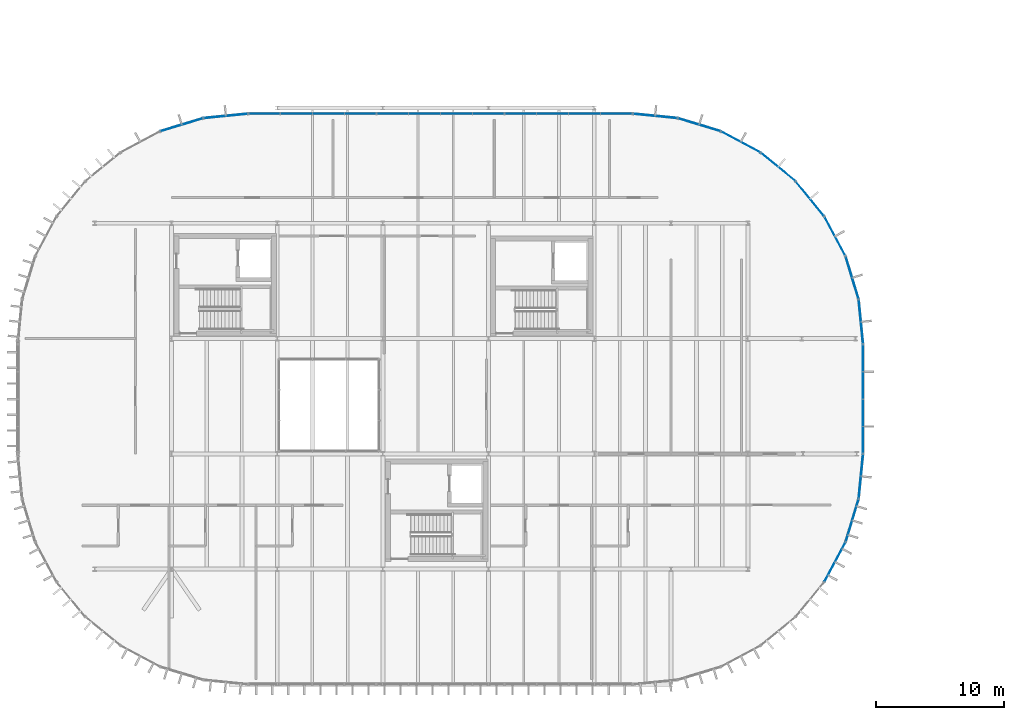
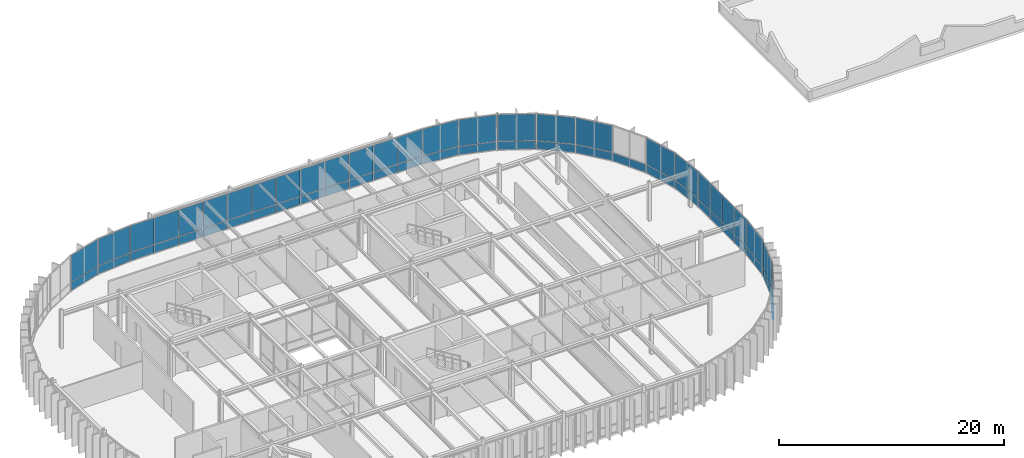
# One storey, part 18 of 27: 57 plates, 17 elements without a shape of their own.
"""IFC4 building model written with IfcOpenShell, lengths in metres."""

import ifcopenshell
import ifcopenshell.guid

model = None  # the IFC model being written
_history = None  # IfcOwnerHistory: only IFC2X3 demands one
_inside = {}  # id of a spatial element -> (the spatial element, [elements in it])
_under = {}  # id of a project, library or spatial element -> (it, [spatial elements below it])
_declared = {}  # id of a project -> (the project, [libraries it declares])
_typed = {}  # id of a type object -> (the type object, [elements of that type])
_made_of = {}  # id of a material, layer set ... -> (it, [elements and type objects made of it])


def new_model(schema):
    """Start an empty IFC model of exactly this schema.

    Asked for "IFC4X3", IfcOpenShell would pick the latest addendum, in which some entities
    have other attributes; the version numbers below select the first issue.
    IFC2X3 requires an IfcOwnerHistory on every rooted entity: one is made here for all.
    """
    global model, _history
    if schema == "IFC4X3":
        model = ifcopenshell.file(schema_version=(4, 3, 0, 0))
    else:
        model = ifcopenshell.file(schema=schema)
    _inside.clear()
    _under.clear()
    _declared.clear()
    _typed.clear()
    _made_of.clear()
    _history = None
    if model.schema == "IFC2X3":
        org = make("IfcOrganization", Name="unknown")
        user = make(
            "IfcPersonAndOrganization",
            ThePerson=make("IfcPerson", FamilyName="unknown"),
            TheOrganization=org,
        )
        app = make(
            "IfcApplication",
            ApplicationDeveloper=org,
            Version="unknown",
            ApplicationFullName="unknown",
            ApplicationIdentifier="unknown",
        )
        _history = make(
            "IfcOwnerHistory",
            OwningUser=user,
            OwningApplication=app,
            ChangeAction="ADDED",
            CreationDate=0,
        )
    return model


def make(cls, **values):
    """One entity of the class cls with the attributes given. An attribute that is None is left unset."""
    return model.create_entity(
        cls, **{name: value for name, value in values.items() if value is not None}
    )


def rooted(cls, **values):
    """An entity with a GlobalId (a new one), such as an element, a storey or a relation."""
    return make(cls, GlobalId=ifcopenshell.guid.new(), OwnerHistory=_history, **values)


def si_unit(unit_type, name, prefix=None):
    """IfcSIUnit, for example si_unit("LENGTHUNIT", "METRE", prefix="MILLI")."""
    return make("IfcSIUnit", UnitType=unit_type, Prefix=prefix, Name=name)


def assignment(units):
    """IfcUnitAssignment: the units of a project."""
    return None if units is None else make("IfcUnitAssignment", Units=units)


def point(xyz):
    """IfcCartesianPoint."""
    return None if xyz is None else make("IfcCartesianPoint", Coordinates=xyz)


def direction(xyz):
    """IfcDirection."""
    return None if xyz is None else make("IfcDirection", DirectionRatios=xyz)


def frame(location, z_axis=None, x_axis=None):
    """IfcAxis2Placement3D, a coordinate frame: its origin and axes. An axis left out is left unset."""
    return make(
        "IfcAxis2Placement3D",
        Location=point(location),
        Axis=direction(z_axis),
        RefDirection=direction(x_axis),
    )


def frame_2d(location, x_axis=None):
    """IfcAxis2Placement2D, a coordinate frame in the plane: its origin and x axis."""
    return make(
        "IfcAxis2Placement2D", Location=point(location), RefDirection=direction(x_axis)
    )


def origin():
    """The frame at (0, 0, 0) with its axes left unset."""
    return frame((0.0, 0.0, 0.0))


def origin_2d():
    """The frame at (0, 0) in the plane with its x axis left unset."""
    return frame_2d((0.0, 0.0))


def place(relative_to, where):
    """IfcLocalPlacement: puts the frame where relative to a parent placement (None: the world)."""
    return make(
        "IfcLocalPlacement", PlacementRelTo=relative_to, RelativePlacement=where
    )


def context(
    kind, dimensions, precision=None, world=None, true_north=None, identifier=None
):
    """IfcGeometricRepresentationContext, for example the 3D "Model" context."""
    return make(
        "IfcGeometricRepresentationContext",
        ContextIdentifier=identifier,
        ContextType=kind,
        CoordinateSpaceDimension=dimensions,
        Precision=precision,
        WorldCoordinateSystem=world,
        TrueNorth=true_north,
    )


def subcontext(parent, identifier, kind, view, scale=None):
    """IfcGeometricRepresentationSubContext, for example "Body" below "Model"."""
    return make(
        "IfcGeometricRepresentationSubContext",
        ContextIdentifier=identifier,
        ContextType=kind,
        ParentContext=parent,
        TargetScale=scale,
        TargetView=view,
    )


def project(units=None, contexts=None):
    """IfcProject with its units and contexts."""
    return rooted(
        "IfcProject",
        Name="project",
        RepresentationContexts=contexts,
        UnitsInContext=assignment(units),
    )


def spatial(cls, under=None, at=None, **own):
    """A site, building, storey or space (cls), placed at a placement, below another one or the project."""
    s = rooted(cls, ObjectPlacement=at, **own)
    if under is not None:
        _under.setdefault(under.id(), (under, []))[1].append(s)
    return s


def profile(cls, at=None, kind="AREA", **sizes):
    """A parametric profile (cls). Its sizes go by their IFC names, for example OverallWidth=200.0."""
    return make(cls, ProfileType=kind, Position=at, **sizes)


def rectangle(**sizes):
    """IfcRectangleProfileDef."""
    return profile("IfcRectangleProfileDef", **sizes)


def extrude(swept, where, along, depth):
    """IfcExtrudedAreaSolid: the profile swept, set in the frame where, extruded along a direction by depth."""
    return make(
        "IfcExtrudedAreaSolid",
        SweptArea=swept,
        Position=where,
        ExtrudedDirection=direction(along),
        Depth=depth,
    )


def shape(context_of_items, identifier, shape_type, items):
    """IfcShapeRepresentation: the items that make up one representation, for example the "Body"."""
    return make(
        "IfcShapeRepresentation",
        ContextOfItems=context_of_items,
        RepresentationIdentifier=identifier,
        RepresentationType=shape_type,
        Items=items,
    )


def material(Name=None, Category=None):
    """IfcMaterial."""
    return make("IfcMaterial", Name=Name, Category=Category)


def layer(
    of_material, thickness, ventilated=None, Name=None, Category=None, Priority=None
):
    """IfcMaterialLayer: one layer of a wall or slab, of a material (None: an air gap)."""
    return make(
        "IfcMaterialLayer",
        Material=of_material,
        LayerThickness=thickness,
        IsVentilated=ventilated,
        Name=Name,
        Category=Category,
        Priority=Priority,
    )


def layer_set(layers, Name=None):
    """IfcMaterialLayerSet."""
    return make("IfcMaterialLayerSet", MaterialLayers=layers, LayerSetName=Name)


def made_of(thing, what):
    """Note that an element or type object is made of a material, layer set ...; save() writes the relation."""
    if what is not None:
        _made_of.setdefault(what.id(), (what, []))[1].append(thing)
    return thing


def type_object(cls, material=None, **own):
    """A type object (cls), such as IfcWallType, which elements share."""
    return made_of(rooted(cls, **own), material)


def element(
    cls,
    number,
    at=None,
    inside=None,
    cuts=None,
    type_object=None,
    material=None,
    context=None,
    identifier="Body",
    shape_type=None,
    held_by="IfcProductDefinitionShape",
    body=None,
    shapes=None,
    **own,
):
    """One element of the class cls, such as IfcWall. Its Tag is "e" and its number.

    at: its placement. inside: the storey or other place that contains it. cuts: it is an
    opening in that element (IfcRelVoidsElement). A single representation is given by context,
    identifier, shape_type and body (its items); several are given by shapes. held_by: the class
    of the entity that holds the representations. save() writes the other relations.
    """
    e = rooted(cls, Tag="e%d" % number, ObjectPlacement=at, **own)
    if body is not None:
        shapes = [shape(context, identifier, shape_type, body)]
    if shapes is not None:
        e.Representation = make(held_by, Representations=shapes)
    if inside is not None:
        _inside.setdefault(inside.id(), (inside, []))[1].append(e)
    if cuts is not None:
        rooted(
            "IfcRelVoidsElement", RelatingBuildingElement=cuts, RelatedOpeningElement=e
        )
    if type_object is not None:
        _typed.setdefault(type_object.id(), (type_object, []))[1].append(e)
    return made_of(e, material)


def aggregate(whole, parts):
    """IfcRelAggregates: a whole, such as a stair, and the parts it consists of."""
    return rooted("IfcRelAggregates", RelatingObject=whole, RelatedObjects=parts)


def save(model, path):
    """Write the relations noted so far, then the file.

    IfcRelAggregates (storeys below a building ...), IfcRelContainedInSpatialStructure (elements
    in a storey), IfcRelDefinesByType, IfcRelAssociatesMaterial and IfcRelDeclares: one each for
    every whole, place, type object, material and project.
    """
    for whole, parts in _under.values():
        aggregate(whole, parts)
    for where, things in _inside.values():
        rooted(
            "IfcRelContainedInSpatialStructure",
            RelatedElements=things,
            RelatingStructure=where,
        )
    for kind, things in _typed.values():
        rooted("IfcRelDefinesByType", RelatedObjects=things, RelatingType=kind)
    for what, things in _made_of.values():
        rooted("IfcRelAssociatesMaterial", RelatedObjects=things, RelatingMaterial=what)
    for by, libraries in _declared.values():
        rooted("IfcRelDeclares", RelatingContext=by, RelatedDefinitions=libraries)
    model.write(path)


model = new_model("IFC4")

# Units and contexts
model_context = context("Model", 3, precision=1e-05, world=origin(), true_north=direction((0.0, 1.0)))
body_context = subcontext(model_context, "Body", "Model", "MODEL_VIEW")
ifc_project = project(units=[si_unit("LENGTHUNIT", "METRE"), si_unit("AREAUNIT", "SQUARE_METRE"), si_unit("VOLUMEUNIT", "CUBIC_METRE"), si_unit("PLANEANGLEUNIT", "RADIAN"), si_unit("MASSUNIT", "GRAM", prefix="KILO")], contexts=[model_context])

# Site, building, storey
site_placement = place(None, origin())
site = spatial("IfcSite", under=ifc_project, at=site_placement, CompositionType="ELEMENT")
building_placement = place(site_placement, origin())
building = spatial("IfcBuilding", under=site, at=building_placement, Name="Montealbar Specialist Clinic", CompositionType="ELEMENT")
storey_placement = place(building_placement, frame((0.0, 0.0, 18.0)))
storey = spatial("IfcBuildingStorey", under=building, at=storey_placement, Name="L04", CompositionType="ELEMENT", Elevation=18.0)

# Curtain wall, plates
ifc_material = material(Name="Low-E double glazing", Category="glass")
ifc_layer_1 = layer(ifc_material, 0.199951171875, Name="Low-E double glazing", Category="glass")
ifc_layer_set_1 = layer_set([ifc_layer_1], Name="Low-E double glazing")
curtain_wall_type_1 = type_object("IfcCurtainWallType", Name="CW-TYPE-30", PredefinedType="NOTDEFINED", material=ifc_layer_set_1)
curtain_wall_1_placement = place(storey_placement, origin())
curtain_wall_1 = element("IfcCurtainWall", 1, at=curtain_wall_1_placement, inside=storey, type_object=curtain_wall_type_1, Name="Unitised Curtain Wall CW-L04-720-446-820-446-180", PredefinedType="NOTDEFINED")
ifc_layer_2 = layer(ifc_material, 0.028076171875, Name="Low-E double glazing", Category="glass")
ifc_layer_set_2 = layer_set([ifc_layer_2], Name="Low-E double glazing")
plate_type_1 = type_object("IfcPlateType", Name="CW-PNL-IGU28", PredefinedType="CURTAIN_PANEL", material=ifc_layer_set_2)
plate_1_placement = place(storey_placement, frame((73.25, 44.550048828125, 0.070068359375), z_axis=(0.0, 0.0, 1.0), x_axis=(1.0, 0.0, 0.0)))
plate_1 = element("IfcPlate", 2, at=plate_1_placement, type_object=plate_type_1, Name="Glazed Curtain Panel CW-L04-720-446-820-446-180-1-1", PredefinedType="CURTAIN_PANEL", context=body_context, shape_type="SweptSolid", body=[
    extrude(rectangle(XDim=2.427978515625, YDim=0.028076171875, at=origin_2d()), origin(), (0.0, 0.0, 1.0), 0.85009765625),
])
plate_2_placement = place(storey_placement, frame((73.25, 44.550048828125, 0.97998046875), z_axis=(0.0, 0.0, 1.0), x_axis=(1.0, 0.0, 0.0)))
plate_2 = element("IfcPlate", 3, at=plate_2_placement, type_object=plate_type_1, Name="Glazed Curtain Panel CW-L04-720-446-820-446-180-1-2", PredefinedType="CURTAIN_PANEL", context=body_context, shape_type="SweptSolid", body=[
    extrude(rectangle(XDim=2.427978515625, YDim=0.028076171875, at=origin_2d()), origin(), (0.0, 0.0, 1.0), 2.8701171875),
])
plate_3_placement = place(storey_placement, frame((75.75, 44.550048828125, 0.070068359375), z_axis=(0.0, 0.0, 1.0), x_axis=(1.0, 0.0, 0.0)))
plate_3 = element("IfcPlate", 4, at=plate_3_placement, type_object=plate_type_1, Name="Glazed Curtain Panel CW-L04-720-446-820-446-180-2-1", PredefinedType="CURTAIN_PANEL", context=body_context, shape_type="SweptSolid", body=[
    extrude(rectangle(XDim=2.427978515625, YDim=0.028076171875, at=origin_2d()), origin(), (0.0, 0.0, 1.0), 0.85009765625),
])
plate_4_placement = place(storey_placement, frame((75.75, 44.550048828125, 0.97998046875), z_axis=(0.0, 0.0, 1.0), x_axis=(1.0, 0.0, 0.0)))
plate_4 = element("IfcPlate", 5, at=plate_4_placement, type_object=plate_type_1, Name="Glazed Curtain Panel CW-L04-720-446-820-446-180-2-2", PredefinedType="CURTAIN_PANEL", context=body_context, shape_type="SweptSolid", body=[
    extrude(rectangle(XDim=2.427978515625, YDim=0.028076171875, at=origin_2d()), origin(), (0.0, 0.0, 1.0), 2.8701171875),
])
plate_5_placement = place(storey_placement, frame((78.25, 44.550048828125, 0.070068359375), z_axis=(0.0, 0.0, 1.0), x_axis=(1.0, 0.0, 0.0)))
plate_5 = element("IfcPlate", 6, at=plate_5_placement, type_object=plate_type_1, Name="Glazed Curtain Panel CW-L04-720-446-820-446-180-3-1", PredefinedType="CURTAIN_PANEL", context=body_context, shape_type="SweptSolid", body=[
    extrude(rectangle(XDim=2.427978515625, YDim=0.028076171875, at=origin_2d()), origin(), (0.0, 0.0, 1.0), 0.85009765625),
])
plate_6_placement = place(storey_placement, frame((78.25, 44.550048828125, 0.97998046875), z_axis=(0.0, 0.0, 1.0), x_axis=(1.0, 0.0, 0.0)))
plate_6 = element("IfcPlate", 7, at=plate_6_placement, type_object=plate_type_1, Name="Glazed Curtain Panel CW-L04-720-446-820-446-180-3-2", PredefinedType="CURTAIN_PANEL", context=body_context, shape_type="SweptSolid", body=[
    extrude(rectangle(XDim=2.427978515625, YDim=0.028076171875, at=origin_2d()), origin(), (0.0, 0.0, 1.0), 2.8701171875),
])
plate_7_placement = place(storey_placement, frame((80.75, 44.550048828125, 0.070068359375), z_axis=(0.0, 0.0, 1.0), x_axis=(1.0, 0.0, 0.0)))
plate_7 = element("IfcPlate", 8, at=plate_7_placement, type_object=plate_type_1, Name="Glazed Curtain Panel CW-L04-720-446-820-446-180-4-1", PredefinedType="CURTAIN_PANEL", context=body_context, shape_type="SweptSolid", body=[
    extrude(rectangle(XDim=2.427978515625, YDim=0.028076171875, at=origin_2d()), origin(), (0.0, 0.0, 1.0), 0.85009765625),
])
plate_8_placement = place(storey_placement, frame((80.75, 44.550048828125, 0.97998046875), z_axis=(0.0, 0.0, 1.0), x_axis=(1.0, 0.0, 0.0)))
plate_8 = element("IfcPlate", 9, at=plate_8_placement, type_object=plate_type_1, Name="Glazed Curtain Panel CW-L04-720-446-820-446-180-4-2", PredefinedType="CURTAIN_PANEL", context=body_context, shape_type="SweptSolid", body=[
    extrude(rectangle(XDim=2.427978515625, YDim=0.028076171875, at=origin_2d()), origin(), (0.0, 0.0, 1.0), 2.8701171875),
])
aggregate(curtain_wall_1, [plate_1, plate_2, plate_3, plate_4, plate_5, plate_6, plate_7, plate_8])

curtain_wall_2_placement = place(storey_placement, origin())
curtain_wall_2 = element("IfcCurtainWall", 10, at=curtain_wall_2_placement, inside=storey, type_object=curtain_wall_type_1, Name="Unitised Curtain Wall CW-L04-820-446-920-446-180", PredefinedType="NOTDEFINED")
plate_9_placement = place(storey_placement, frame((83.25, 44.550048828125, 0.070068359375), z_axis=(0.0, 0.0, 1.0), x_axis=(1.0, 0.0, 0.0)))
plate_9 = element("IfcPlate", 11, at=plate_9_placement, type_object=plate_type_1, Name="Glazed Curtain Panel CW-L04-820-446-920-446-180-1-1", PredefinedType="CURTAIN_PANEL", context=body_context, shape_type="SweptSolid", body=[
    extrude(rectangle(XDim=2.427978515625, YDim=0.028076171875, at=origin_2d()), origin(), (0.0, 0.0, 1.0), 0.85009765625),
])
plate_10_placement = place(storey_placement, frame((83.25, 44.550048828125, 0.97998046875), z_axis=(0.0, 0.0, 1.0), x_axis=(1.0, 0.0, 0.0)))
plate_10 = element("IfcPlate", 12, at=plate_10_placement, type_object=plate_type_1, Name="Glazed Curtain Panel CW-L04-820-446-920-446-180-1-2", PredefinedType="CURTAIN_PANEL", context=body_context, shape_type="SweptSolid", body=[
    extrude(rectangle(XDim=2.427978515625, YDim=0.028076171875, at=origin_2d()), origin(), (0.0, 0.0, 1.0), 2.8701171875),
])
plate_11_placement = place(storey_placement, frame((85.75, 44.550048828125, 0.070068359375), z_axis=(0.0, 0.0, 1.0), x_axis=(1.0, 0.0, 0.0)))
plate_11 = element("IfcPlate", 13, at=plate_11_placement, type_object=plate_type_1, Name="Glazed Curtain Panel CW-L04-820-446-920-446-180-2-1", PredefinedType="CURTAIN_PANEL", context=body_context, shape_type="SweptSolid", body=[
    extrude(rectangle(XDim=2.427978515625, YDim=0.028076171875, at=origin_2d()), origin(), (0.0, 0.0, 1.0), 0.85009765625),
])
plate_12_placement = place(storey_placement, frame((85.75, 44.550048828125, 0.97998046875), z_axis=(0.0, 0.0, 1.0), x_axis=(1.0, 0.0, 0.0)))
plate_12 = element("IfcPlate", 14, at=plate_12_placement, type_object=plate_type_1, Name="Glazed Curtain Panel CW-L04-820-446-920-446-180-2-2", PredefinedType="CURTAIN_PANEL", context=body_context, shape_type="SweptSolid", body=[
    extrude(rectangle(XDim=2.427978515625, YDim=0.028076171875, at=origin_2d()), origin(), (0.0, 0.0, 1.0), 2.8701171875),
])
plate_13_placement = place(storey_placement, frame((88.25, 44.550048828125, 0.070068359375), z_axis=(0.0, 0.0, 1.0), x_axis=(1.0, 0.0, 0.0)))
plate_13 = element("IfcPlate", 15, at=plate_13_placement, type_object=plate_type_1, Name="Glazed Curtain Panel CW-L04-820-446-920-446-180-3-1", PredefinedType="CURTAIN_PANEL", context=body_context, shape_type="SweptSolid", body=[
    extrude(rectangle(XDim=2.427978515625, YDim=0.028076171875, at=origin_2d()), origin(), (0.0, 0.0, 1.0), 0.85009765625),
])
plate_14_placement = place(storey_placement, frame((88.25, 44.550048828125, 0.97998046875), z_axis=(0.0, 0.0, 1.0), x_axis=(1.0, 0.0, 0.0)))
plate_14 = element("IfcPlate", 16, at=plate_14_placement, type_object=plate_type_1, Name="Glazed Curtain Panel CW-L04-820-446-920-446-180-3-2", PredefinedType="CURTAIN_PANEL", context=body_context, shape_type="SweptSolid", body=[
    extrude(rectangle(XDim=2.427978515625, YDim=0.028076171875, at=origin_2d()), origin(), (0.0, 0.0, 1.0), 2.8701171875),
])
plate_15_placement = place(storey_placement, frame((90.75, 44.550048828125, 0.070068359375), z_axis=(0.0, 0.0, 1.0), x_axis=(1.0, 0.0, 0.0)))
plate_15 = element("IfcPlate", 17, at=plate_15_placement, type_object=plate_type_1, Name="Glazed Curtain Panel CW-L04-820-446-920-446-180-4-1", PredefinedType="CURTAIN_PANEL", context=body_context, shape_type="SweptSolid", body=[
    extrude(rectangle(XDim=2.427978515625, YDim=0.028076171875, at=origin_2d()), origin(), (0.0, 0.0, 1.0), 0.85009765625),
])
plate_16_placement = place(storey_placement, frame((90.75, 44.550048828125, 0.97998046875), z_axis=(0.0, 0.0, 1.0), x_axis=(1.0, 0.0, 0.0)))
plate_16 = element("IfcPlate", 18, at=plate_16_placement, type_object=plate_type_1, Name="Glazed Curtain Panel CW-L04-820-446-920-446-180-4-2", PredefinedType="CURTAIN_PANEL", context=body_context, shape_type="SweptSolid", body=[
    extrude(rectangle(XDim=2.427978515625, YDim=0.028076171875, at=origin_2d()), origin(), (0.0, 0.0, 1.0), 2.8701171875),
])
aggregate(curtain_wall_2, [plate_9, plate_10, plate_11, plate_12, plate_13, plate_14, plate_15, plate_16])

curtain_wall_3_placement = place(storey_placement, origin())
curtain_wall_3 = element("IfcCurtainWall", 19, at=curtain_wall_3_placement, inside=storey, type_object=curtain_wall_type_1, Name="Unitised Curtain Wall CW-L04-920-446-1020-446-180", PredefinedType="NOTDEFINED")
plate_17_placement = place(storey_placement, frame((93.25, 44.550048828125, 0.070068359375), z_axis=(0.0, 0.0, 1.0), x_axis=(1.0, 0.0, 0.0)))
plate_17 = element("IfcPlate", 20, at=plate_17_placement, type_object=plate_type_1, Name="Glazed Curtain Panel CW-L04-920-446-1020-446-180-1-1", PredefinedType="CURTAIN_PANEL", context=body_context, shape_type="SweptSolid", body=[
    extrude(rectangle(XDim=2.427978515625, YDim=0.028076171875, at=origin_2d()), origin(), (0.0, 0.0, 1.0), 0.85009765625),
])
plate_18_placement = place(storey_placement, frame((93.25, 44.550048828125, 0.97998046875), z_axis=(0.0, 0.0, 1.0), x_axis=(1.0, 0.0, 0.0)))
plate_18 = element("IfcPlate", 21, at=plate_18_placement, type_object=plate_type_1, Name="Glazed Curtain Panel CW-L04-920-446-1020-446-180-1-2", PredefinedType="CURTAIN_PANEL", context=body_context, shape_type="SweptSolid", body=[
    extrude(rectangle(XDim=2.427978515625, YDim=0.028076171875, at=origin_2d()), origin(), (0.0, 0.0, 1.0), 2.8701171875),
])
plate_19_placement = place(storey_placement, frame((95.75, 44.550048828125, 0.070068359375), z_axis=(0.0, 0.0, 1.0), x_axis=(1.0, 0.0, 0.0)))
plate_19 = element("IfcPlate", 22, at=plate_19_placement, type_object=plate_type_1, Name="Glazed Curtain Panel CW-L04-920-446-1020-446-180-2-1", PredefinedType="CURTAIN_PANEL", context=body_context, shape_type="SweptSolid", body=[
    extrude(rectangle(XDim=2.427978515625, YDim=0.028076171875, at=origin_2d()), origin(), (0.0, 0.0, 1.0), 0.85009765625),
])
plate_20_placement = place(storey_placement, frame((95.75, 44.550048828125, 0.97998046875), z_axis=(0.0, 0.0, 1.0), x_axis=(1.0, 0.0, 0.0)))
plate_20 = element("IfcPlate", 23, at=plate_20_placement, type_object=plate_type_1, Name="Glazed Curtain Panel CW-L04-920-446-1020-446-180-2-2", PredefinedType="CURTAIN_PANEL", context=body_context, shape_type="SweptSolid", body=[
    extrude(rectangle(XDim=2.427978515625, YDim=0.028076171875, at=origin_2d()), origin(), (0.0, 0.0, 1.0), 2.8701171875),
])
plate_21_placement = place(storey_placement, frame((98.25, 44.550048828125, 0.070068359375), z_axis=(0.0, 0.0, 1.0), x_axis=(1.0, 0.0, 0.0)))
plate_21 = element("IfcPlate", 24, at=plate_21_placement, type_object=plate_type_1, Name="Glazed Curtain Panel CW-L04-920-446-1020-446-180-3-1", PredefinedType="CURTAIN_PANEL", context=body_context, shape_type="SweptSolid", body=[
    extrude(rectangle(XDim=2.427978515625, YDim=0.028076171875, at=origin_2d()), origin(), (0.0, 0.0, 1.0), 0.85009765625),
])
plate_22_placement = place(storey_placement, frame((98.25, 44.550048828125, 0.97998046875), z_axis=(0.0, 0.0, 1.0), x_axis=(1.0, 0.0, 0.0)))
plate_22 = element("IfcPlate", 25, at=plate_22_placement, type_object=plate_type_1, Name="Glazed Curtain Panel CW-L04-920-446-1020-446-180-3-2", PredefinedType="CURTAIN_PANEL", context=body_context, shape_type="SweptSolid", body=[
    extrude(rectangle(XDim=2.427978515625, YDim=0.028076171875, at=origin_2d()), origin(), (0.0, 0.0, 1.0), 2.8701171875),
])
plate_23_placement = place(storey_placement, frame((100.75, 44.550048828125, 0.070068359375), z_axis=(0.0, 0.0, 1.0), x_axis=(1.0, 0.0, 0.0)))
plate_23 = element("IfcPlate", 26, at=plate_23_placement, type_object=plate_type_1, Name="Glazed Curtain Panel CW-L04-920-446-1020-446-180-4-1", PredefinedType="CURTAIN_PANEL", context=body_context, shape_type="SweptSolid", body=[
    extrude(rectangle(XDim=2.427978515625, YDim=0.028076171875, at=origin_2d()), origin(), (0.0, 0.0, 1.0), 0.85009765625),
])
plate_24_placement = place(storey_placement, frame((100.75, 44.550048828125, 0.97998046875), z_axis=(0.0, 0.0, 1.0), x_axis=(1.0, 0.0, 0.0)))
plate_24 = element("IfcPlate", 27, at=plate_24_placement, type_object=plate_type_1, Name="Glazed Curtain Panel CW-L04-920-446-1020-446-180-4-2", PredefinedType="CURTAIN_PANEL", context=body_context, shape_type="SweptSolid", body=[
    extrude(rectangle(XDim=2.427978515625, YDim=0.028076171875, at=origin_2d()), origin(), (0.0, 0.0, 1.0), 2.8701171875),
])
aggregate(curtain_wall_3, [plate_17, plate_18, plate_19, plate_20, plate_21, plate_22, plate_23, plate_24])

ifc_layer_3 = layer(ifc_material, 0.199951171875, Name="Low-E double glazing", Category="glass")
ifc_layer_set_3 = layer_set([ifc_layer_3], Name="Low-E double glazing")
curtain_wall_type_2 = type_object("IfcCurtainWallType", Name="CW-TYPE-29", PredefinedType="NOTDEFINED", material=ifc_layer_set_3)
curtain_wall_4_placement = place(storey_placement, origin())
curtain_wall_4 = element("IfcCurtainWall", 28, at=curtain_wall_4_placement, inside=storey, type_object=curtain_wall_type_2, Name="Unitised Curtain Wall CW-L04-651-432-685-442-180", PredefinedType="NOTDEFINED")
ifc_layer_4 = layer(ifc_material, 0.0380859375, Name="Low-E double glazing", Category="glass")
ifc_layer_set_4 = layer_set([ifc_layer_4], Name="Low-E double glazing")
plate_type_2 = type_object("IfcPlateType", Name="CW-PNL-IGU38", PredefinedType="CURTAIN_PANEL", material=ifc_layer_set_4)
plate_25_placement = place(storey_placement, frame((66.800048828125, 43.69189453125, 0.070068359375), z_axis=(0.0, 0.0, 1.0), x_axis=(0.956948083701, 0.290259134399, 0.0)))
plate_25 = element("IfcPlate", 29, at=plate_25_placement, type_object=plate_type_2, Name="Glazed Curtain Panel CW-L04-651-432-685-442-180-1-1", PredefinedType="CURTAIN_PANEL", context=body_context, shape_type="SweptSolid", body=[
    extrude(rectangle(XDim=3.444091796875, YDim=0.0380859375, at=origin_2d()), origin(), (0.0, 0.0, 1.0), 0.85009765625),
])
plate_26_placement = place(storey_placement, frame((66.800048828125, 43.69189453125, 0.97998046875), z_axis=(0.0, 0.0, 1.0), x_axis=(0.956948083701, 0.290259134399, 0.0)))
plate_26 = element("IfcPlate", 30, at=plate_26_placement, type_object=plate_type_2, Name="Glazed Curtain Panel CW-L04-651-432-685-442-180-1-2", PredefinedType="CURTAIN_PANEL", context=body_context, shape_type="SweptSolid", body=[
    extrude(rectangle(XDim=3.444091796875, YDim=0.0380859375, at=origin_2d()), origin(), (0.0, 0.0, 1.0), 2.8701171875),
])
aggregate(curtain_wall_4, [plate_25, plate_26])

curtain_wall_5_placement = place(storey_placement, origin())
curtain_wall_5 = element("IfcCurtainWall", 31, at=curtain_wall_5_placement, inside=storey, type_object=curtain_wall_type_2, Name="Unitised Curtain Wall CW-L04-685-442-720-446-180", PredefinedType="NOTDEFINED")
plate_27_placement = place(storey_placement, frame((70.243896484375, 44.376953125, 0.070068359375), z_axis=(0.0, 0.0, 1.0), x_axis=(0.995182012183, 0.098044697094, 0.0)))
plate_27 = element("IfcPlate", 32, at=plate_27_placement, type_object=plate_type_2, Name="Glazed Curtain Panel CW-L04-685-442-720-446-180-1-1", PredefinedType="CURTAIN_PANEL", context=body_context, shape_type="SweptSolid", body=[
    extrude(rectangle(XDim=3.445068359375, YDim=0.0380859375, at=origin_2d()), origin(), (0.0, 0.0, 1.0), 0.85009765625),
])
plate_28_placement = place(storey_placement, frame((70.243896484375, 44.376953125, 0.97998046875), z_axis=(0.0, 0.0, 1.0), x_axis=(0.995182012183, 0.098044697094, 0.0)))
plate_28 = element("IfcPlate", 33, at=plate_28_placement, type_object=plate_type_2, Name="Glazed Curtain Panel CW-L04-685-442-720-446-180-1-2", PredefinedType="CURTAIN_PANEL", context=body_context, shape_type="SweptSolid", body=[
    extrude(rectangle(XDim=3.445068359375, YDim=0.0380859375, at=origin_2d()), origin(), (0.0, 0.0, 1.0), 2.8701171875),
])
aggregate(curtain_wall_5, [plate_27, plate_28])

curtain_wall_6_placement = place(storey_placement, origin())
curtain_wall_6 = element("IfcCurtainWall", 34, at=curtain_wall_6_placement, inside=storey, type_object=curtain_wall_type_2, Name="Unitised Curtain Wall CW-L04-1020-446-1055-442-180", PredefinedType="NOTDEFINED")
plate_29_placement = place(storey_placement, frame((103.756103515625, 44.376953125, 0.070068359375), z_axis=(0.0, 0.0, 1.0), x_axis=(0.995182012183, -0.098044697094, 0.0)))
plate_29 = element("IfcPlate", 35, at=plate_29_placement, type_object=plate_type_2, Name="Glazed Curtain Panel CW-L04-1020-446-1055-442-180-1-1", PredefinedType="CURTAIN_PANEL", context=body_context, shape_type="SweptSolid", body=[
    extrude(rectangle(XDim=3.445068359375, YDim=0.0380859375, at=origin_2d()), origin(), (0.0, 0.0, 1.0), 0.85009765625),
])
plate_30_placement = place(storey_placement, frame((103.756103515625, 44.376953125, 0.97998046875), z_axis=(0.0, 0.0, 1.0), x_axis=(0.995182012183, -0.098044697094, 0.0)))
plate_30 = element("IfcPlate", 36, at=plate_30_placement, type_object=plate_type_2, Name="Glazed Curtain Panel CW-L04-1020-446-1055-442-180-1-2", PredefinedType="CURTAIN_PANEL", context=body_context, shape_type="SweptSolid", body=[
    extrude(rectangle(XDim=3.445068359375, YDim=0.0380859375, at=origin_2d()), origin(), (0.0, 0.0, 1.0), 2.8701171875),
])
aggregate(curtain_wall_6, [plate_29, plate_30])

curtain_wall_7_placement = place(storey_placement, origin())
curtain_wall_7 = element("IfcCurtainWall", 37, at=curtain_wall_7_placement, inside=storey, type_object=curtain_wall_type_2, Name="Unitised Curtain Wall CW-L04-1055-442-1089-432-180", PredefinedType="NOTDEFINED")
plate_31_placement = place(storey_placement, frame((107.199951171875, 43.69189453125, 0.070068359375), z_axis=(0.0, 0.0, 1.0), x_axis=(0.956948083701, -0.290259134399, 0.0)))
plate_31 = element("IfcPlate", 38, at=plate_31_placement, type_object=plate_type_2, Name="Glazed Curtain Panel CW-L04-1055-442-1089-432-180-1-1", PredefinedType="CURTAIN_PANEL", context=body_context, shape_type="SweptSolid", body=[
    extrude(rectangle(XDim=3.444091796875, YDim=0.0380859375, at=origin_2d()), origin(), (0.0, 0.0, 1.0), 0.85009765625),
])
plate_32_placement = place(storey_placement, frame((107.199951171875, 43.69189453125, 0.97998046875), z_axis=(0.0, 0.0, 1.0), x_axis=(0.956948083701, -0.290259134399, 0.0)))
plate_32 = element("IfcPlate", 39, at=plate_32_placement, type_object=plate_type_2, Name="Glazed Curtain Panel CW-L04-1055-442-1089-432-180-1-2", PredefinedType="CURTAIN_PANEL", context=body_context, shape_type="SweptSolid", body=[
    extrude(rectangle(XDim=3.444091796875, YDim=0.0380859375, at=origin_2d()), origin(), (0.0, 0.0, 1.0), 2.8701171875),
])
aggregate(curtain_wall_7, [plate_31, plate_32])

curtain_wall_8_placement = place(storey_placement, origin())
curtain_wall_8 = element("IfcCurtainWall", 40, at=curtain_wall_8_placement, inside=storey, type_object=curtain_wall_type_2, Name="Unitised Curtain Wall CW-L04-1089-432-1120-415-180", PredefinedType="NOTDEFINED")
plate_33_placement = place(storey_placement, frame((110.444091796875, 42.347900390625, 0.070068359375), z_axis=(0.0, 0.0, 1.0), x_axis=(0.881850411644, -0.471529268958, 0.0)))
plate_33 = element("IfcPlate", 41, at=plate_33_placement, type_object=plate_type_2, Name="Glazed Curtain Panel CW-L04-1089-432-1120-415-180-1-1", PredefinedType="CURTAIN_PANEL", context=body_context, shape_type="SweptSolid", body=[
    extrude(rectangle(XDim=3.445068359375, YDim=0.0380859375, at=origin_2d()), origin(), (0.0, 0.0, 1.0), 0.85009765625),
])
plate_34_placement = place(storey_placement, frame((110.444091796875, 42.347900390625, 0.97998046875), z_axis=(0.0, 0.0, 1.0), x_axis=(0.881850411644, -0.471529268958, 0.0)))
plate_34 = element("IfcPlate", 42, at=plate_34_placement, type_object=plate_type_2, Name="Glazed Curtain Panel CW-L04-1089-432-1120-415-180-1-2", PredefinedType="CURTAIN_PANEL", context=body_context, shape_type="SweptSolid", body=[
    extrude(rectangle(XDim=3.445068359375, YDim=0.0380859375, at=origin_2d()), origin(), (0.0, 0.0, 1.0), 2.8701171875),
])
aggregate(curtain_wall_8, [plate_33, plate_34])

curtain_wall_9_placement = place(storey_placement, origin())
curtain_wall_9 = element("IfcCurtainWall", 43, at=curtain_wall_9_placement, inside=storey, type_object=curtain_wall_type_2, Name="Unitised Curtain Wall CW-L04-1120-415-1147-393-180", PredefinedType="NOTDEFINED")
plate_35_placement = place(storey_placement, frame((113.364013671875, 40.39697265625, 0.070068359375), z_axis=(0.0, 0.0, 1.0), x_axis=(0.773123255923, -0.634255808922, 0.0)))
plate_35 = element("IfcPlate", 44, at=plate_35_placement, type_object=plate_type_2, Name="Glazed Curtain Panel CW-L04-1120-415-1147-393-180-1-1", PredefinedType="CURTAIN_PANEL", context=body_context, shape_type="SweptSolid", body=[
    extrude(rectangle(XDim=3.445068359375, YDim=0.0380859375, at=origin_2d()), origin(), (0.0, 0.0, 1.0), 0.85009765625),
])
plate_36_placement = place(storey_placement, frame((113.364013671875, 40.39697265625, 0.97998046875), z_axis=(0.0, 0.0, 1.0), x_axis=(0.773123255923, -0.634255808922, 0.0)))
plate_36 = element("IfcPlate", 45, at=plate_36_placement, type_object=plate_type_2, Name="Glazed Curtain Panel CW-L04-1120-415-1147-393-180-1-2", PredefinedType="CURTAIN_PANEL", context=body_context, shape_type="SweptSolid", body=[
    extrude(rectangle(XDim=3.445068359375, YDim=0.0380859375, at=origin_2d()), origin(), (0.0, 0.0, 1.0), 2.8701171875),
])
aggregate(curtain_wall_9, [plate_35, plate_36])

curtain_wall_10_placement = place(storey_placement, origin())
curtain_wall_10 = element("IfcCurtainWall", 46, at=curtain_wall_10_placement, inside=storey, type_object=curtain_wall_type_2, Name="Unitised Curtain Wall CW-L04-1147-393-1170-366-180", PredefinedType="NOTDEFINED")
plate_37_placement = place(storey_placement, frame((115.846923828125, 37.9140625, 0.070068359375), z_axis=(0.0, 0.0, 1.0), x_axis=(0.634255808922, -0.773123255923, 0.0)))
plate_37 = element("IfcPlate", 47, at=plate_37_placement, type_object=plate_type_2, Name="Glazed Curtain Panel CW-L04-1147-393-1170-366-180-1-1", PredefinedType="CURTAIN_PANEL", context=body_context, shape_type="SweptSolid", body=[
    extrude(rectangle(XDim=3.445068359375, YDim=0.0380859375, at=origin_2d()), origin(), (0.0, 0.0, 1.0), 0.85009765625),
])
plate_38_placement = place(storey_placement, frame((115.846923828125, 37.9140625, 0.97998046875), z_axis=(0.0, 0.0, 1.0), x_axis=(0.634255808922, -0.773123255923, 0.0)))
plate_38 = element("IfcPlate", 48, at=plate_38_placement, type_object=plate_type_2, Name="Glazed Curtain Panel CW-L04-1147-393-1170-366-180-1-2", PredefinedType="CURTAIN_PANEL", context=body_context, shape_type="SweptSolid", body=[
    extrude(rectangle(XDim=3.445068359375, YDim=0.0380859375, at=origin_2d()), origin(), (0.0, 0.0, 1.0), 2.8701171875),
])
aggregate(curtain_wall_10, [plate_37, plate_38])

# Curtain wall, plate
curtain_wall_11_placement = place(storey_placement, origin())
curtain_wall_11 = element("IfcCurtainWall", 49, at=curtain_wall_11_placement, inside=storey, type_object=curtain_wall_type_2, Name="Unitised Curtain Wall CW-L04-1170-366-1186-334-180", PredefinedType="NOTDEFINED")
plate_39_placement = place(storey_placement, frame((117.798095703125, 34.993896484375, 0.070068359375), z_axis=(0.0, 0.0, 1.0), x_axis=(0.471529268958, -0.881850411644, 0.0)))
plate_39 = element("IfcPlate", 50, at=plate_39_placement, type_object=plate_type_2, Name="Glazed Curtain Panel CW-L04-1170-366-1186-334-180-1-1", PredefinedType="CURTAIN_PANEL", context=body_context, shape_type="SweptSolid", body=[
    extrude(rectangle(XDim=3.445068359375, YDim=0.0380859375, at=origin_2d()), origin(), (0.0, 0.0, 1.0), 0.85009765625),
])
aggregate(curtain_wall_11, [plate_39])

# Curtain wall, plates
curtain_wall_12_placement = place(storey_placement, origin())
curtain_wall_12 = element("IfcCurtainWall", 51, at=curtain_wall_12_placement, inside=storey, type_object=curtain_wall_type_2, Name="Unitised Curtain Wall CW-L04-1186-334-1197-301-180", PredefinedType="NOTDEFINED")
plate_40_placement = place(storey_placement, frame((119.14208984375, 31.75, 0.070068359375), z_axis=(0.0, 0.0, 1.0), x_axis=(0.290259134399, -0.956948083701, 0.0)))
plate_40 = element("IfcPlate", 52, at=plate_40_placement, type_object=plate_type_2, Name="Glazed Curtain Panel CW-L04-1186-334-1197-301-180-1-1", PredefinedType="CURTAIN_PANEL", context=body_context, shape_type="SweptSolid", body=[
    extrude(rectangle(XDim=3.444091796875, YDim=0.0380859375, at=origin_2d()), origin(), (0.0, 0.0, 1.0), 0.85009765625),
])
plate_41_placement = place(storey_placement, frame((119.14208984375, 31.75, 0.97998046875), z_axis=(0.0, 0.0, 1.0), x_axis=(0.290259134399, -0.956948083701, 0.0)))
plate_41 = element("IfcPlate", 53, at=plate_41_placement, type_object=plate_type_2, Name="Glazed Curtain Panel CW-L04-1186-334-1197-301-180-1-2", PredefinedType="CURTAIN_PANEL", context=body_context, shape_type="SweptSolid", body=[
    extrude(rectangle(XDim=3.444091796875, YDim=0.0380859375, at=origin_2d()), origin(), (0.0, 0.0, 1.0), 2.8701171875),
])
aggregate(curtain_wall_12, [plate_40, plate_41])

curtain_wall_13_placement = place(storey_placement, origin())
curtain_wall_13 = element("IfcCurtainWall", 54, at=curtain_wall_13_placement, inside=storey, type_object=curtain_wall_type_2, Name="Unitised Curtain Wall CW-L04-1197-301-1200-266-180", PredefinedType="NOTDEFINED")
plate_42_placement = place(storey_placement, frame((119.826904296875, 28.305908203125, 0.070068359375), z_axis=(0.0, 0.0, 1.0), x_axis=(0.098044697094, -0.995182012183, 0.0)))
plate_42 = element("IfcPlate", 55, at=plate_42_placement, type_object=plate_type_2, Name="Glazed Curtain Panel CW-L04-1197-301-1200-266-180-1-1", PredefinedType="CURTAIN_PANEL", context=body_context, shape_type="SweptSolid", body=[
    extrude(rectangle(XDim=3.445068359375, YDim=0.0380859375, at=origin_2d()), origin(), (0.0, 0.0, 1.0), 0.85009765625),
])
plate_43_placement = place(storey_placement, frame((119.826904296875, 28.305908203125, 0.97998046875), z_axis=(0.0, 0.0, 1.0), x_axis=(0.098044697094, -0.995182012183, 0.0)))
plate_43 = element("IfcPlate", 56, at=plate_43_placement, type_object=plate_type_2, Name="Glazed Curtain Panel CW-L04-1197-301-1200-266-180-1-2", PredefinedType="CURTAIN_PANEL", context=body_context, shape_type="SweptSolid", body=[
    extrude(rectangle(XDim=3.445068359375, YDim=0.0380859375, at=origin_2d()), origin(), (0.0, 0.0, 1.0), 2.8701171875),
])
aggregate(curtain_wall_13, [plate_42, plate_43])

ifc_layer_5 = layer(ifc_material, 0.199951171875, Name="Low-E double glazing", Category="glass")
ifc_layer_set_5 = layer_set([ifc_layer_5], Name="Low-E double glazing")
curtain_wall_type_3 = type_object("IfcCurtainWallType", Name="CW-TYPE-31", PredefinedType="NOTDEFINED", material=ifc_layer_set_5)
curtain_wall_14_placement = place(storey_placement, origin())
curtain_wall_14 = element("IfcCurtainWall", 57, at=curtain_wall_14_placement, inside=storey, type_object=curtain_wall_type_3, Name="Unitised Curtain Wall CW-L04-1200-266-1200-180-180", PredefinedType="NOTDEFINED")
plate_44_placement = place(storey_placement, frame((120.0, 25.48095703125, 0.070068359375), z_axis=(0.0, 0.0, 1.0), x_axis=(0.0, -1.0, 0.0)))
plate_44 = element("IfcPlate", 58, at=plate_44_placement, type_object=plate_type_2, Name="Glazed Curtain Panel CW-L04-1200-266-1200-180-180-1-1", PredefinedType="CURTAIN_PANEL", context=body_context, shape_type="SweptSolid", body=[
    extrude(rectangle(XDim=2.053955078125, YDim=0.0380859375, at=origin_2d()), origin(), (0.0, 0.0, 1.0), 0.85009765625),
])
plate_45_placement = place(storey_placement, frame((120.0, 25.48095703125, 0.97998046875), z_axis=(0.0, 0.0, 1.0), x_axis=(0.0, -1.0, 0.0)))
plate_45 = element("IfcPlate", 59, at=plate_45_placement, type_object=plate_type_2, Name="Glazed Curtain Panel CW-L04-1200-266-1200-180-180-1-2", PredefinedType="CURTAIN_PANEL", context=body_context, shape_type="SweptSolid", body=[
    extrude(rectangle(XDim=2.053955078125, YDim=0.0380859375, at=origin_2d()), origin(), (0.0, 0.0, 1.0), 2.8701171875),
])
plate_46_placement = place(storey_placement, frame((120.0, 23.343994140625, 0.070068359375), z_axis=(0.0, 0.0, 1.0), x_axis=(0.0, -1.0, 0.0)))
plate_46 = element("IfcPlate", 60, at=plate_46_placement, type_object=plate_type_2, Name="Glazed Curtain Panel CW-L04-1200-266-1200-180-180-2-1", PredefinedType="CURTAIN_PANEL", context=body_context, shape_type="SweptSolid", body=[
    extrude(rectangle(XDim=2.053955078125, YDim=0.0380859375, at=origin_2d()), origin(), (0.0, 0.0, 1.0), 0.85009765625),
])
plate_47_placement = place(storey_placement, frame((120.0, 23.343994140625, 0.97998046875), z_axis=(0.0, 0.0, 1.0), x_axis=(0.0, -1.0, 0.0)))
plate_47 = element("IfcPlate", 61, at=plate_47_placement, type_object=plate_type_2, Name="Glazed Curtain Panel CW-L04-1200-266-1200-180-180-2-2", PredefinedType="CURTAIN_PANEL", context=body_context, shape_type="SweptSolid", body=[
    extrude(rectangle(XDim=2.053955078125, YDim=0.0380859375, at=origin_2d()), origin(), (0.0, 0.0, 1.0), 2.8701171875),
])
plate_48_placement = place(storey_placement, frame((120.0, 21.2060546875, 0.070068359375), z_axis=(0.0, 0.0, 1.0), x_axis=(0.0, -1.0, 0.0)))
plate_48 = element("IfcPlate", 62, at=plate_48_placement, type_object=plate_type_2, Name="Glazed Curtain Panel CW-L04-1200-266-1200-180-180-3-1", PredefinedType="CURTAIN_PANEL", context=body_context, shape_type="SweptSolid", body=[
    extrude(rectangle(XDim=2.053955078125, YDim=0.0380859375, at=origin_2d()), origin(), (0.0, 0.0, 1.0), 0.85009765625),
])
plate_49_placement = place(storey_placement, frame((120.0, 21.2060546875, 0.97998046875), z_axis=(0.0, 0.0, 1.0), x_axis=(0.0, -1.0, 0.0)))
plate_49 = element("IfcPlate", 63, at=plate_49_placement, type_object=plate_type_2, Name="Glazed Curtain Panel CW-L04-1200-266-1200-180-180-3-2", PredefinedType="CURTAIN_PANEL", context=body_context, shape_type="SweptSolid", body=[
    extrude(rectangle(XDim=2.053955078125, YDim=0.0380859375, at=origin_2d()), origin(), (0.0, 0.0, 1.0), 2.8701171875),
])
plate_50_placement = place(storey_placement, frame((120.0, 19.069091796875, 0.070068359375), z_axis=(0.0, 0.0, 1.0), x_axis=(0.0, -1.0, 0.0)))
plate_50 = element("IfcPlate", 64, at=plate_50_placement, type_object=plate_type_2, Name="Glazed Curtain Panel CW-L04-1200-266-1200-180-180-4-1", PredefinedType="CURTAIN_PANEL", context=body_context, shape_type="SweptSolid", body=[
    extrude(rectangle(XDim=2.053955078125, YDim=0.0380859375, at=origin_2d()), origin(), (0.0, 0.0, 1.0), 0.85009765625),
])
plate_51_placement = place(storey_placement, frame((120.0, 19.069091796875, 0.97998046875), z_axis=(0.0, 0.0, 1.0), x_axis=(0.0, -1.0, 0.0)))
plate_51 = element("IfcPlate", 65, at=plate_51_placement, type_object=plate_type_2, Name="Glazed Curtain Panel CW-L04-1200-266-1200-180-180-4-2", PredefinedType="CURTAIN_PANEL", context=body_context, shape_type="SweptSolid", body=[
    extrude(rectangle(XDim=2.053955078125, YDim=0.0380859375, at=origin_2d()), origin(), (0.0, 0.0, 1.0), 2.8701171875),
])
aggregate(curtain_wall_14, [plate_44, plate_45, plate_46, plate_47, plate_48, plate_49, plate_50, plate_51])

curtain_wall_15_placement = place(storey_placement, origin())
curtain_wall_15 = element("IfcCurtainWall", 66, at=curtain_wall_15_placement, inside=storey, type_object=curtain_wall_type_2, Name="Unitised Curtain Wall CW-L04-1200-180-1197-145-180", PredefinedType="NOTDEFINED")
plate_52_placement = place(storey_placement, frame((119.826904296875, 16.243896484375, 0.070068359375), z_axis=(0.0, 0.0, 1.0), x_axis=(-0.098044697094, -0.995182012183, 0.0)))
plate_52 = element("IfcPlate", 67, at=plate_52_placement, type_object=plate_type_2, Name="Glazed Curtain Panel CW-L04-1200-180-1197-145-180-1-1", PredefinedType="CURTAIN_PANEL", context=body_context, shape_type="SweptSolid", body=[
    extrude(rectangle(XDim=3.445068359375, YDim=0.0380859375, at=origin_2d()), origin(), (0.0, 0.0, 1.0), 0.85009765625),
])
plate_53_placement = place(storey_placement, frame((119.826904296875, 16.243896484375, 0.97998046875), z_axis=(0.0, 0.0, 1.0), x_axis=(-0.098044697094, -0.995182012183, 0.0)))
plate_53 = element("IfcPlate", 68, at=plate_53_placement, type_object=plate_type_2, Name="Glazed Curtain Panel CW-L04-1200-180-1197-145-180-1-2", PredefinedType="CURTAIN_PANEL", context=body_context, shape_type="SweptSolid", body=[
    extrude(rectangle(XDim=3.445068359375, YDim=0.0380859375, at=origin_2d()), origin(), (0.0, 0.0, 1.0), 2.8701171875),
])
aggregate(curtain_wall_15, [plate_52, plate_53])

curtain_wall_16_placement = place(storey_placement, origin())
curtain_wall_16 = element("IfcCurtainWall", 69, at=curtain_wall_16_placement, inside=storey, type_object=curtain_wall_type_2, Name="Unitised Curtain Wall CW-L04-1197-145-1186-111-180", PredefinedType="NOTDEFINED")
plate_54_placement = place(storey_placement, frame((119.14208984375, 12.800048828125, 0.070068359375), z_axis=(0.0, 0.0, 1.0), x_axis=(-0.290259134399, -0.956948083701, 0.0)))
plate_54 = element("IfcPlate", 70, at=plate_54_placement, type_object=plate_type_2, Name="Glazed Curtain Panel CW-L04-1197-145-1186-111-180-1-1", PredefinedType="CURTAIN_PANEL", context=body_context, shape_type="SweptSolid", body=[
    extrude(rectangle(XDim=3.444091796875, YDim=0.0380859375, at=origin_2d()), origin(), (0.0, 0.0, 1.0), 0.85009765625),
])
plate_55_placement = place(storey_placement, frame((119.14208984375, 12.800048828125, 0.97998046875), z_axis=(0.0, 0.0, 1.0), x_axis=(-0.290259134399, -0.956948083701, 0.0)))
plate_55 = element("IfcPlate", 71, at=plate_55_placement, type_object=plate_type_2, Name="Glazed Curtain Panel CW-L04-1197-145-1186-111-180-1-2", PredefinedType="CURTAIN_PANEL", context=body_context, shape_type="SweptSolid", body=[
    extrude(rectangle(XDim=3.444091796875, YDim=0.0380859375, at=origin_2d()), origin(), (0.0, 0.0, 1.0), 2.8701171875),
])
aggregate(curtain_wall_16, [plate_54, plate_55])

curtain_wall_17_placement = place(storey_placement, origin())
curtain_wall_17 = element("IfcCurtainWall", 72, at=curtain_wall_17_placement, inside=storey, type_object=curtain_wall_type_2, Name="Unitised Curtain Wall CW-L04-1186-111-1170-80-180", PredefinedType="NOTDEFINED")
plate_56_placement = place(storey_placement, frame((117.798095703125, 9.555908203125, 0.070068359375), z_axis=(0.0, 0.0, 1.0), x_axis=(-0.471529268958, -0.881850411644, 0.0)))
plate_56 = element("IfcPlate", 73, at=plate_56_placement, type_object=plate_type_2, Name="Glazed Curtain Panel CW-L04-1186-111-1170-80-180-1-1", PredefinedType="CURTAIN_PANEL", context=body_context, shape_type="SweptSolid", body=[
    extrude(rectangle(XDim=3.445068359375, YDim=0.0380859375, at=origin_2d()), origin(), (0.0, 0.0, 1.0), 0.85009765625),
])
plate_57_placement = place(storey_placement, frame((117.798095703125, 9.555908203125, 0.97998046875), z_axis=(0.0, 0.0, 1.0), x_axis=(-0.471529268958, -0.881850411644, 0.0)))
plate_57 = element("IfcPlate", 74, at=plate_57_placement, type_object=plate_type_2, Name="Glazed Curtain Panel CW-L04-1186-111-1170-80-180-1-2", PredefinedType="CURTAIN_PANEL", context=body_context, shape_type="SweptSolid", body=[
    extrude(rectangle(XDim=3.445068359375, YDim=0.0380859375, at=origin_2d()), origin(), (0.0, 0.0, 1.0), 2.8701171875),
])
aggregate(curtain_wall_17, [plate_56, plate_57])

save(model, "model.ifc")
